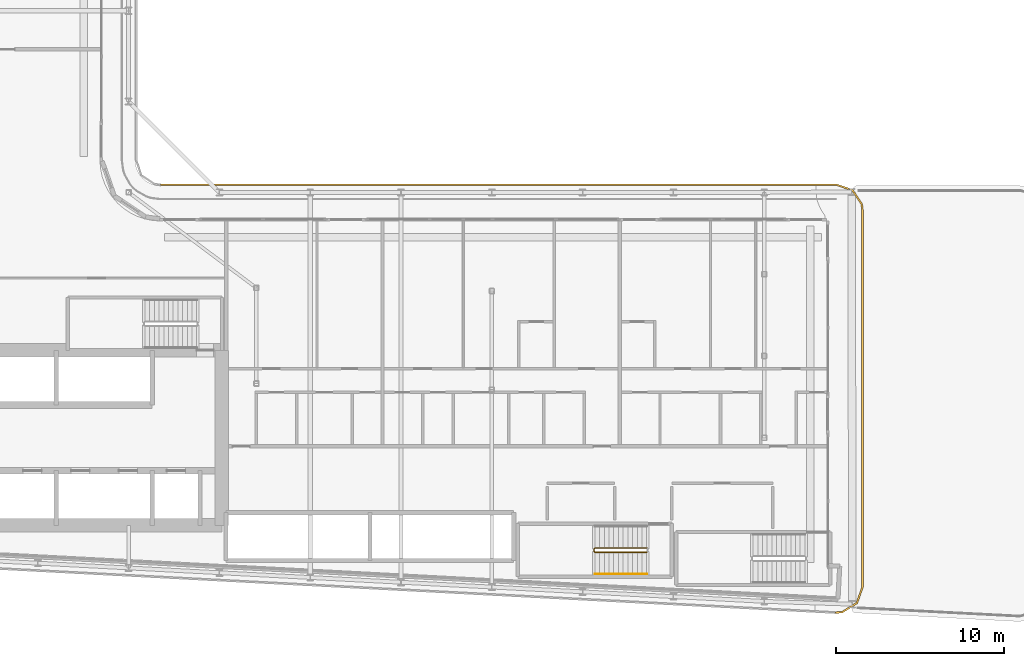
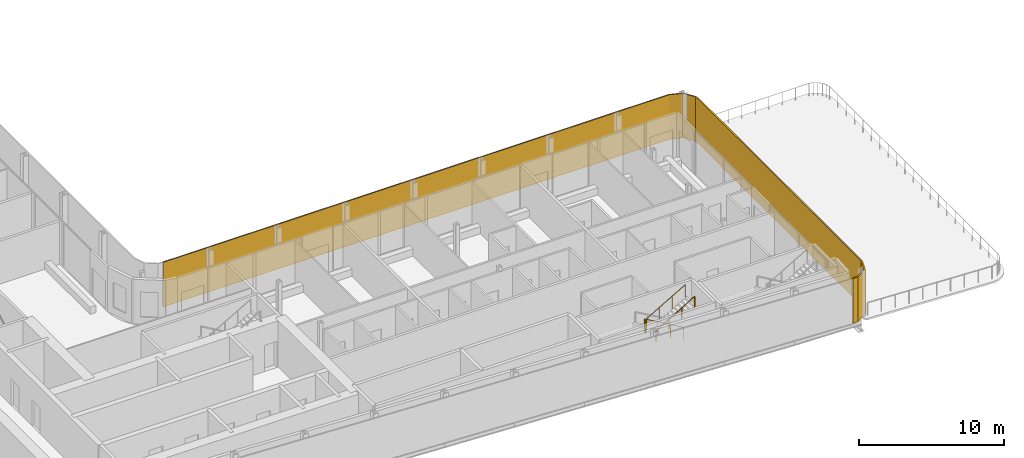
# One storey, part 22 of 27: 2 railings, 1 shading device.
"""IFC4 building model written with IfcOpenShell, lengths in metres."""

from ifc_helpers import new_model, si_unit, direction, frame, origin, origin_2d, place, context, subcontext, project, spatial, polyline, circle, outline, extrude, material, layer, layer_set, type_object, element, save


model = new_model("IFC4")

# Units and contexts
model_context = context("Model", 3, precision=1e-05, world=origin(), true_north=direction((0.0, 1.0)))
body_context = subcontext(model_context, "Body", "Model", "MODEL_VIEW")
ifc_project = project(units=[si_unit("LENGTHUNIT", "METRE"), si_unit("AREAUNIT", "SQUARE_METRE"), si_unit("VOLUMEUNIT", "CUBIC_METRE"), si_unit("PLANEANGLEUNIT", "RADIAN"), si_unit("MASSUNIT", "GRAM", prefix="KILO")], contexts=[model_context])

# Site, building, storey
site_placement = place(None, origin())
site = spatial("IfcSite", under=ifc_project, at=site_placement, CompositionType="ELEMENT")
building_placement = place(site_placement, origin())
building = spatial("IfcBuilding", under=site, at=building_placement, Name="Kheshtan School and Residences Tower", CompositionType="ELEMENT")
storey_placement = place(building_placement, frame((0.0, 0.0, 152.60009765625)))
storey = spatial("IfcBuildingStorey", under=building, at=storey_placement, Name="L35", CompositionType="ELEMENT", Elevation=152.60009765625)

# Shading device
ifc_material_1 = material(Name="Terracotta lattice, extruded ceramic", Category="masonry")
ifc_layer = layer(ifc_material_1, 0.10009765625)
ifc_layer_set = layer_set([ifc_layer], Name="Loggia screen, terracotta lattice")
shading_device_type = type_object("IfcShadingDeviceType", Name="Loggia screen, terracotta lattice", PredefinedType="USERDEFINED", material=ifc_layer_set)
shading_device_placement = place(storey_placement, origin())
element("IfcShadingDevice", 1, at=shading_device_placement, inside=storey, type_object=shading_device_type, Name="Screen L35 2", ObjectType="SCREEN", PredefinedType="USERDEFINED", context=body_context, shape_type="SweptSolid", body=[
    extrude(outline(polyline([(49.5, 46.0), (89.699951171875, 46.0), (90.613037109375, 45.68994140625), (91.14892578125, 44.887939453125), (91.199951171875, 44.5), (91.199951171875, 22.14892578125), (90.8701171875, 21.2099609375), (90.02392578125, 20.68505859375), (89.62109375, 20.652099609375), (89.62890625, 20.552001953125), (90.055908203125, 20.5869140625), (90.952880859375, 21.14404296875), (91.300048828125, 22.132080078125), (91.300048828125, 44.507080078125), (91.2451171875, 44.924072265625), (90.677001953125, 45.77392578125), (89.717041015625, 46.10009765625), (49.5, 46.10009765625), (49.5, 46.0)])), origin(), (0.0, 0.0, 1.0), 3.75),
])

# Railings
ifc_material_2 = material(Name="Stainless steel balustrade", Category="steel")
railing_type_1 = type_object("IfcRailingType", Name="Stair guard 1100", PredefinedType="GUARDRAIL", material=ifc_material_2)
railing_1_placement = place(storey_placement, frame((78.409912109375, 24.449951171875, 0.162353515625)))
element("IfcRailing", 2, at=railing_1_placement, inside=storey, type_object=railing_type_1, Name="L35 ST5 stair guard 1", PredefinedType="GUARDRAIL", context=body_context, shape_type="SweptSolid", body=[
    extrude(circle(Radius=0.02392578125, at=origin_2d()), frame((0.0, 0.0, 1.076171875), z_axis=(-0.864873446163, 0.0, 0.501989962173), x_axis=(0.0, -1.0, 0.0)), (0.0, 0.0, 1.0), 3.56103515625),
    extrude(circle(Radius=0.02392578125, at=origin_2d()), frame((-3.079833984375, 0.0, 2.86376953125), z_axis=(-0.707106781187, -0.707106781187, 0.0), x_axis=(0.707106781187, -0.707106781187, 0.0)), (0.0, 0.0, 1.0), 0.07080078125),
    extrude(circle(Radius=0.02392578125, at=origin_2d()), frame((-3.1298828125, -0.050048828125, 2.86376953125), z_axis=(0.0, -1.0, 0.0), x_axis=(1.0, 0.0, 0.0)), (0.0, 0.0, 1.0), 0.14990234375),
    extrude(circle(Radius=0.02392578125, at=origin_2d()), frame((-3.1298828125, -0.199951171875, 2.86376953125), z_axis=(0.282583949758, -0.282583949758, 0.916674763849), x_axis=(0.707106781187, 0.707106781187, 0.0)), (0.0, 0.0, 1.0), 0.177001953125),
    extrude(circle(Radius=0.02392578125, at=origin_2d()), frame((-3.079833984375, -0.25, 3.02587890625), z_axis=(0.864873446163, 0.0, 0.501989962173), x_axis=(0.0, 1.0, 0.0)), (0.0, 0.0, 1.0), 3.56103515625),
    extrude(circle(Radius=0.02099609375, at=origin_2d()), origin(), (0.0, 0.0, 1.0), 1.052001953125),
    extrude(circle(Radius=0.02099609375, at=origin_2d()), frame((-1.026611328125, 0.0, 0.595947265625)), (0.0, 0.0, 1.0), 1.052001953125),
    extrude(circle(Radius=0.02099609375, at=origin_2d()), frame((-2.05322265625, 0.0, 1.191650390625)), (0.0, 0.0, 1.0), 1.052001953125),
    extrude(circle(Radius=0.02099609375, at=origin_2d()), frame((-3.079833984375, 0.0, 1.78759765625)), (0.0, 0.0, 1.0), 1.052001953125),
    extrude(circle(Radius=0.02099609375, at=origin_2d()), frame((-3.1298828125, -0.050048828125, 1.78759765625)), (0.0, 0.0, 1.0), 1.052001953125),
    extrude(circle(Radius=0.02099609375, at=origin_2d()), frame((-3.1298828125, -0.199951171875, 1.78759765625)), (0.0, 0.0, 1.0), 1.052001953125),
    extrude(circle(Radius=0.02099609375, at=origin_2d()), frame((-3.079833984375, -0.25, 1.949951171875)), (0.0, 0.0, 1.0), 1.052001953125),
    extrude(circle(Radius=0.02099609375, at=origin_2d()), frame((-2.05322265625, -0.25, 2.5458984375)), (0.0, 0.0, 1.0), 1.052001953125),
    extrude(circle(Radius=0.02099609375, at=origin_2d()), frame((-1.026611328125, -0.25, 3.1416015625)), (0.0, 0.0, 1.0), 1.052001953125),
    extrude(circle(Radius=0.02099609375, at=origin_2d()), frame((0.0, -0.25, 3.737548828125)), (0.0, 0.0, 1.0), 1.052001953125),
])
ifc_material_3 = material(Name="Stainless steel handrail", Category="steel")
railing_type_2 = type_object("IfcRailingType", Name="Stair handrail 900", PredefinedType="HANDRAIL", material=ifc_material_3)
railing_2_placement = place(storey_placement, frame((75.330078125, 22.89990234375, 2.1123046875)))
element("IfcRailing", 3, at=railing_2_placement, inside=storey, type_object=railing_type_2, Name="L35 ST5 stair handrail 2", PredefinedType="HANDRAIL", context=body_context, shape_type="SweptSolid", body=[
    extrude(circle(Radius=0.02392578125, at=origin_2d()), frame((0.0, 0.0, 0.8759765625), z_axis=(0.864873446163, 0.0, 0.501989962173), x_axis=(0.0, 1.0, 0.0)), (0.0, 0.0, 1.0), 3.56103515625),
    extrude(circle(Radius=0.02099609375, at=origin_2d()), origin(), (0.0, 0.0, 1.0), 0.851806640625),
    extrude(circle(Radius=0.02099609375, at=origin_2d()), frame((1.026611328125, 0.0, 0.595947265625)), (0.0, 0.0, 1.0), 0.851806640625),
    extrude(circle(Radius=0.02099609375, at=origin_2d()), frame((2.05322265625, 0.0, 1.191650390625)), (0.0, 0.0, 1.0), 0.851806640625),
    extrude(circle(Radius=0.02099609375, at=origin_2d()), frame((3.079833984375, 0.0, 1.78759765625)), (0.0, 0.0, 1.0), 0.851806640625),
])

save(model, "model.ifc")
